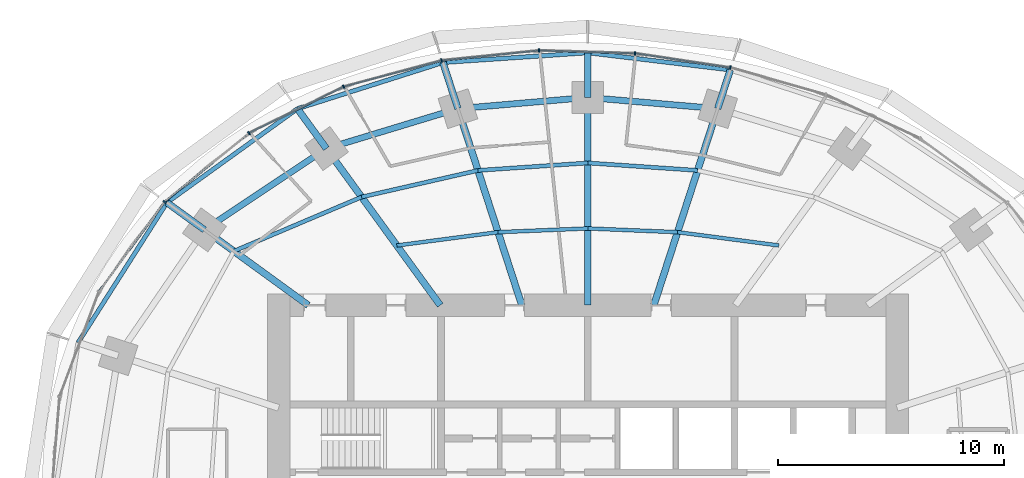
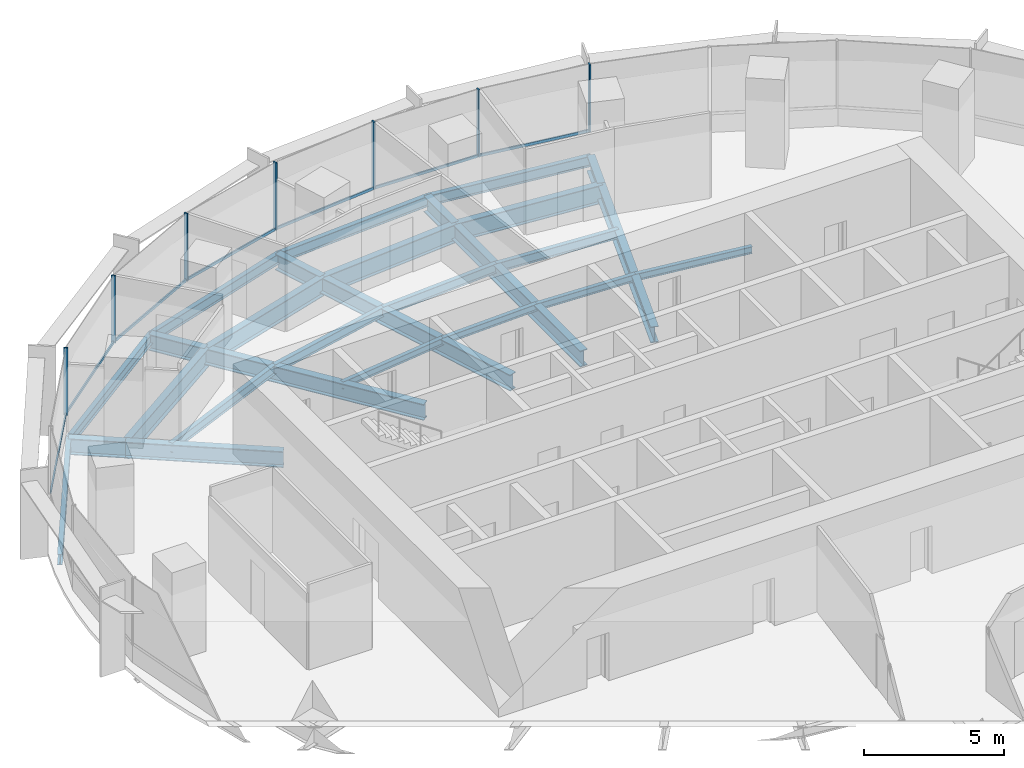
# One storey, part 7 of 15: 27 beams, 14 members, 2 elements without a shape of their own.
"""IFC4 building model written with IfcOpenShell, lengths in metres."""

from ifc_helpers import new_model, si_unit, direction, frame, origin, origin_2d, place, context, subcontext, project, spatial, rectangle, i_section, extrude, material, material_profile, profile_set, type_object, element, aggregate, save


model = new_model("IFC4")

# Units and contexts
model_context = context("Model", 3, precision=1e-05, world=origin(), true_north=direction((0.0, 1.0)))
body_context = subcontext(model_context, "Body", "Model", "MODEL_VIEW")
ifc_project = project(units=[si_unit("LENGTHUNIT", "METRE"), si_unit("AREAUNIT", "SQUARE_METRE"), si_unit("VOLUMEUNIT", "CUBIC_METRE"), si_unit("PLANEANGLEUNIT", "RADIAN"), si_unit("MASSUNIT", "GRAM", prefix="KILO")], contexts=[model_context])

# Site, building, storey
site_placement = place(None, origin())
site = spatial("IfcSite", under=ifc_project, at=site_placement, CompositionType="ELEMENT")
building_placement = place(site_placement, origin())
building = spatial("IfcBuilding", under=site, at=building_placement, Name="Marramba Exchange Tower", CompositionType="ELEMENT")
storey_placement = place(building_placement, frame((0.0, 0.0, 191.60009765625)))
storey = spatial("IfcBuildingStorey", under=building, at=storey_placement, Name="L46", CompositionType="ELEMENT", Elevation=191.60009765625)

# Beams
ifc_material_1 = material(Name="Steel AS/NZS 3679.2 grade 300", Category="steel")
ifc_material_profile_1 = material_profile(ifc_material_1, i_section(OverallWidth=0.300048828125, OverallDepth=0.699951171875, WebThickness=0.010009765625, FlangeThickness=0.031982421875, at=origin_2d()), Name="700WB173")
ifc_profile_set_1 = profile_set([ifc_material_profile_1], Name="Steel AS/NZS 3679.2 grade 300")
beam_type_1 = type_object("IfcBeamType", Name="Cantilever girder 700WB173", PredefinedType="BEAM", material=ifc_profile_set_1)
beam_1_placement = place(storey_placement, frame((5.75390625, 17.70849609375, -0.510009765625), z_axis=(0.308960771946, 0.951074782232, 0.0), x_axis=(-0.951074782232, 0.308960771946, 0.0)))
element("IfcBeam", 1, at=beam_1_placement, inside=storey, type_object=beam_type_1, Name="Cantilever girder L46 TC05", PredefinedType="BEAM", context=body_context, shape_type="SweptSolid", body=[
    extrude(i_section(OverallWidth=0.300048828125, OverallDepth=0.699951171875, WebThickness=0.010009765625, FlangeThickness=0.031982421875, at=origin_2d()), origin(), (0.0, 0.0, 1.0), 1.806396484375),
])
beam_2_placement = place(storey_placement, frame((0.0, 18.2041015625, -0.510009765625), z_axis=(0.0, 1.0, 0.0), x_axis=(-1.0, 0.0, 0.0)))
element("IfcBeam", 2, at=beam_2_placement, inside=storey, type_object=beam_type_1, Name="Cantilever girder L46 TC06", PredefinedType="BEAM", context=body_context, shape_type="SweptSolid", body=[
    extrude(i_section(OverallWidth=0.300048828125, OverallDepth=0.699951171875, WebThickness=0.010009765625, FlangeThickness=0.031982421875, at=origin_2d()), origin(), (0.0, 0.0, 1.0), 1.982177734375),
])
beam_3_placement = place(storey_placement, frame((-5.75390625, 17.70849609375, -0.510009765625), z_axis=(-0.308998798068, 0.951062428441, 0.0), x_axis=(-0.951062428441, -0.308998798068, 0.0)))
element("IfcBeam", 3, at=beam_3_placement, inside=storey, type_object=beam_type_1, Name="Cantilever girder L46 TC07", PredefinedType="BEAM", context=body_context, shape_type="SweptSolid", body=[
    extrude(i_section(OverallWidth=0.300048828125, OverallDepth=0.699951171875, WebThickness=0.010009765625, FlangeThickness=0.031982421875, at=origin_2d()), origin(), (0.0, 0.0, 1.0), 2.150634765625),
])
beam_4_placement = place(storey_placement, frame((-11.581298828125, 15.9404296875, -0.510009765625), z_axis=(-0.587832433352, 0.808982713226, 0.0), x_axis=(-0.808982713226, -0.587832433352, 0.0)))
element("IfcBeam", 4, at=beam_4_placement, inside=storey, type_object=beam_type_1, Name="Cantilever girder L46 TC08", PredefinedType="BEAM", context=body_context, shape_type="SweptSolid", body=[
    extrude(i_section(OverallWidth=0.300048828125, OverallDepth=0.699951171875, WebThickness=0.010009765625, FlangeThickness=0.031982421875, at=origin_2d()), origin(), (0.0, 0.0, 1.0), 2.1826171875),
])
beam_5_placement = place(storey_placement, frame((-16.98583984375, 12.3408203125, -0.510009765625), z_axis=(-0.808962446125, 0.587860324192, 0.0), x_axis=(-0.587860324192, -0.808962446125, 0.0)))
element("IfcBeam", 5, at=beam_5_placement, inside=storey, type_object=beam_type_1, Name="Cantilever girder L46 TC09", PredefinedType="BEAM", context=body_context, shape_type="SweptSolid", body=[
    extrude(i_section(OverallWidth=0.300048828125, OverallDepth=0.699951171875, WebThickness=0.010009765625, FlangeThickness=0.031982421875, at=origin_2d()), origin(), (0.0, 0.0, 1.0), 2.051513671875),
])
ifc_material_2 = material(Name="Steel AS/NZS 3679.1 grade 300", Category="steel")
ifc_material_profile_2 = material_profile(ifc_material_2, i_section(OverallWidth=0.166015625, OverallDepth=0.306884765625, WebThickness=0.006591796875, FlangeThickness=0.01171875, FilletRadius=0.011474609375, at=origin_2d()), Name="310UB46.2")
ifc_profile_set_2 = profile_set([ifc_material_profile_2], Name="Steel AS/NZS 3679.1 grade 300")
beam_type_2 = type_object("IfcBeamType", Name="Floor joist 310UB46.2", PredefinedType="JOIST", material=ifc_profile_set_2)
beam_6_placement = place(storey_placement, frame((8.4619140625, 11.646728515625, -0.3134765625), z_axis=(-0.991480538255, 0.130254912618, 0.0), x_axis=(-0.130254912618, -0.991480538255, 0.0)))
element("IfcBeam", 6, at=beam_6_placement, inside=storey, type_object=beam_type_2, Name="Joist L46 bay 04 row 1", PredefinedType="JOIST", context=body_context, shape_type="SweptSolid", body=[
    extrude(i_section(OverallWidth=0.166015625, OverallDepth=0.306884765625, WebThickness=0.006591796875, FlangeThickness=0.01171875, FilletRadius=0.011474609375, at=origin_2d()), origin(), (0.0, 0.0, 1.0), 4.524658203125),
])
for number, where, z_axis, x_axis, name in (
    (7, (3.975830078125, 12.236083984375, -0.3134765625), (-0.999137002892, 0.041536122257, 0.0), (-0.041536122257, -0.999137002892, 0.0), "Joist L46 bay 05 row 1"),
    (8, (0.0, 12.4013671875, -0.3134765625), (-0.999137002892, -0.041536122257, 0.0), (0.041536122257, -0.999137002892, 0.0), "Joist L46 bay 06 row 1"),
):
    element("IfcBeam", number, at=place(storey_placement, frame(where, z_axis=z_axis, x_axis=x_axis)), inside=storey, type_object=beam_type_2, Name=name, PredefinedType="JOIST", context=body_context, shape_type="SweptSolid", body=[
        extrude(i_section(OverallWidth=0.166015625, OverallDepth=0.306884765625, WebThickness=0.006591796875, FlangeThickness=0.01171875, FilletRadius=0.011474609375, at=origin_2d()), origin(), (0.0, 0.0, 1.0), 3.979248046875),
    ])
beam_7_placement = place(storey_placement, frame((-3.975830078125, 12.236083984375, -0.3134765625), z_axis=(-0.991480538255, -0.130254912618, 0.0), x_axis=(0.130254912618, -0.991480538255, 0.0)))
element("IfcBeam", 9, at=beam_7_placement, inside=storey, type_object=beam_type_2, Name="Joist L46 bay 07 row 1", PredefinedType="JOIST", context=body_context, shape_type="SweptSolid", body=[
    extrude(i_section(OverallWidth=0.166015625, OverallDepth=0.306884765625, WebThickness=0.006591796875, FlangeThickness=0.01171875, FilletRadius=0.011474609375, at=origin_2d()), origin(), (0.0, 0.0, 1.0), 4.524658203125),
])
ifc_material_profile_3 = material_profile(ifc_material_2, i_section(OverallWidth=0.177978515625, OverallDepth=0.406005859375, WebThickness=0.0078125, FlangeThickness=0.0126953125, FilletRadius=0.011474609375, at=origin_2d()), Name="410UB59.7")
ifc_profile_set_3 = profile_set([ifc_material_profile_3], Name="Steel AS/NZS 3679.1 grade 300")
beam_type_3 = type_object("IfcBeamType", Name="Floor joist 410UB59.7", PredefinedType="JOIST", material=ifc_profile_set_3)
for number, where, z_axis, x_axis, name in (
    (10, (4.86474609375, 14.972412109375, -0.363037109375), (-0.997702652202, 0.067745241816, 0.0), (-0.067745241816, -0.997702652202, 0.0), "Joist L46 bay 05 row 2"),
    (11, (0.0, 15.302734375, -0.363037109375), (-0.997702652202, -0.067745241816, 0.0), (0.067745241816, -0.997702652202, 0.0), "Joist L46 bay 06 row 2"),
):
    element("IfcBeam", number, at=place(storey_placement, frame(where, z_axis=z_axis, x_axis=x_axis)), inside=storey, type_object=beam_type_3, Name=name, PredefinedType="JOIST", context=body_context, shape_type="SweptSolid", body=[
        extrude(i_section(OverallWidth=0.177978515625, OverallDepth=0.406005859375, WebThickness=0.0078125, FlangeThickness=0.0126953125, FilletRadius=0.011474609375, at=origin_2d()), origin(), (0.0, 0.0, 1.0), 4.8759765625),
    ])
beam_8_placement = place(storey_placement, frame((-4.86474609375, 14.972412109375, -0.363037109375), z_axis=(-0.974859652292, -0.222819788916, 0.0), x_axis=(0.222819788916, -0.974859652292, 0.0)))
element("IfcBeam", 12, at=beam_8_placement, inside=storey, type_object=beam_type_3, Name="Joist L46 bay 07 row 2", PredefinedType="JOIST", context=body_context, shape_type="SweptSolid", body=[
    extrude(i_section(OverallWidth=0.177978515625, OverallDepth=0.406005859375, WebThickness=0.0078125, FlangeThickness=0.0126953125, FilletRadius=0.011474609375, at=origin_2d()), origin(), (0.0, 0.0, 1.0), 5.2900390625),
])
beam_9_placement = place(storey_placement, frame((-10.021728515625, 13.793701171875, -0.363037109375), z_axis=(-0.920674336375, -0.390331610738, 0.0), x_axis=(0.390331610738, -0.920674336375, 0.0)))
element("IfcBeam", 13, at=beam_9_placement, inside=storey, type_object=beam_type_3, Name="Joist L46 bay 08 row 2", PredefinedType="JOIST", context=body_context, shape_type="SweptSolid", body=[
    extrude(i_section(OverallWidth=0.177978515625, OverallDepth=0.406005859375, WebThickness=0.0078125, FlangeThickness=0.0126953125, FilletRadius=0.011474609375, at=origin_2d()), origin(), (0.0, 0.0, 1.0), 6.1484375),
])

# Curtain wall, members
ifc_material_3 = material(Name="Aluminium framing, bronze anodised", Category="aluminium")
curtain_wall_type = type_object("IfcCurtainWallType", Name="Office ribbon curtain wall", PredefinedType="USERDEFINED", material=ifc_material_3)
curtain_wall_1_placement = place(storey_placement, origin())
curtain_wall_1 = element("IfcCurtainWall", 14, at=curtain_wall_1_placement, inside=storey, type_object=curtain_wall_type, Name="Curtain wall CW4 L46 F06-F10", ObjectType="RIBBON CURTAIN WALL", PredefinedType="USERDEFINED")
ifc_material_4 = material(Name="Aluminium mullion, bronze anodised", Category="aluminium")
ifc_material_profile_4 = material_profile(ifc_material_4, rectangle(XDim=0.159912109375, YDim=0.06005859375, at=origin_2d()), Name="CW4 mullion 60x160")
ifc_profile_set_4 = profile_set([ifc_material_profile_4], Name="Aluminium mullion, bronze anodised")
member_type_1 = type_object("IfcMemberType", Name="Office ribbon curtain wall mullion", PredefinedType="MULLION", material=ifc_profile_set_4)
member_1_placement = place(storey_placement, frame((6.313232421875, 19.526123046875, 0.7998046875), z_axis=(0.0, 0.0, 1.0), x_axis=(-0.148794988635, -0.988868065698, 0.0)))
member_1 = element("IfcMember", 15, at=member_1_placement, type_object=member_type_1, Name="CW4 mullion 1", PredefinedType="MULLION", context=body_context, shape_type="SweptSolid", body=[
    extrude(rectangle(XDim=0.159912109375, YDim=0.06005859375, at=origin_2d()), origin(), (0.0, 0.0, 1.0), 2.940185546875),
])
member_2_placement = place(storey_placement, frame((2.088623046875, 20.158203125, 0.7998046875), z_axis=(0.0, 0.0, 1.0), x_axis=(-0.03039385249, -0.999538000143, 0.0)))
member_2 = element("IfcMember", 16, at=member_2_placement, type_object=member_type_1, Name="CW4 mullion 1", PredefinedType="MULLION", context=body_context, shape_type="SweptSolid", body=[
    extrude(rectangle(XDim=0.159912109375, YDim=0.06005859375, at=origin_2d()), origin(), (0.0, 0.0, 1.0), 2.940185546875),
])
member_3_placement = place(storey_placement, frame((-2.162109375, 20.28369140625, 0.7998046875), z_axis=(0.0, 0.0, 1.0), x_axis=(0.100862673507, -0.994900357369, 0.0)))
member_3 = element("IfcMember", 17, at=member_3_placement, type_object=member_type_1, Name="CW4 mullion 1", PredefinedType="MULLION", context=body_context, shape_type="SweptSolid", body=[
    extrude(rectangle(XDim=0.159912109375, YDim=0.06005859375, at=origin_2d()), origin(), (0.0, 0.0, 1.0), 2.940185546875),
])
member_4_placement = place(storey_placement, frame((-6.478271484375, 19.84130859375, 0.7998046875), z_axis=(0.0, 0.0, 1.0), x_axis=(0.257641223778, -0.966240653155, 0.0)))
member_4 = element("IfcMember", 18, at=member_4_placement, type_object=member_type_1, Name="CW4 mullion 1", PredefinedType="MULLION", context=body_context, shape_type="SweptSolid", body=[
    extrude(rectangle(XDim=0.159912109375, YDim=0.06005859375, at=origin_2d()), origin(), (0.0, 0.0, 1.0), 2.940185546875),
])

curtain_wall_2_placement = place(storey_placement, origin())
curtain_wall_2 = element("IfcCurtainWall", 19, at=curtain_wall_2_placement, inside=storey, type_object=curtain_wall_type, Name="Curtain wall CW4 L46 F11-F15", ObjectType="RIBBON CURTAIN WALL", PredefinedType="USERDEFINED")
member_5_placement = place(storey_placement, frame((-10.818359375, 18.677978515625, 0.7998046875), z_axis=(0.0, 0.0, 1.0), x_axis=(0.438972456661, -0.898500518805, 0.0)))
member_5 = element("IfcMember", 20, at=member_5_placement, type_object=member_type_1, Name="CW4 mullion 1", PredefinedType="MULLION", context=body_context, shape_type="SweptSolid", body=[
    extrude(rectangle(XDim=0.159912109375, YDim=0.06005859375, at=origin_2d()), origin(), (0.0, 0.0, 1.0), 2.940185546875),
])
member_6_placement = place(storey_placement, frame((-15.008056640625, 16.62353515625, 0.7998046875), z_axis=(0.0, 0.0, 1.0), x_axis=(0.630200830464, -0.776432169145, 0.0)))
member_6 = element("IfcMember", 21, at=member_6_placement, type_object=member_type_1, Name="CW4 mullion 1", PredefinedType="MULLION", context=body_context, shape_type="SweptSolid", body=[
    extrude(rectangle(XDim=0.159912109375, YDim=0.06005859375, at=origin_2d()), origin(), (0.0, 0.0, 1.0), 2.940185546875),
])
member_7_placement = place(storey_placement, frame((-18.744140625, 13.581298828125, 0.7998046875), z_axis=(0.0, 0.0, 1.0), x_axis=(0.805965197024, -0.591962922138, 0.0)))
member_7 = element("IfcMember", 22, at=member_7_placement, type_object=member_type_1, Name="CW4 mullion 1", PredefinedType="MULLION", context=body_context, shape_type="SweptSolid", body=[
    extrude(rectangle(XDim=0.159912109375, YDim=0.06005859375, at=origin_2d()), origin(), (0.0, 0.0, 1.0), 2.940185546875),
])

# Member
ifc_material_5 = material(Name="Aluminium transom, bronze anodised", Category="aluminium")
ifc_material_profile_5 = material_profile(ifc_material_5, rectangle(XDim=0.06005859375, YDim=0.1201171875, at=origin_2d()), Name="CW4 transom 60x120")
ifc_profile_set_5 = profile_set([ifc_material_profile_5], Name="Aluminium transom, bronze anodised")
member_type_2 = type_object("IfcMemberType", Name="Office ribbon curtain wall transom", PredefinedType="USERDEFINED", material=ifc_profile_set_5)
member_8_placement = place(storey_placement, frame((6.28369140625, 19.53076171875, 0.829833984375), z_axis=(-0.988868222508, 0.148793946493, 0.0), x_axis=(-0.148793946493, -0.988868222508, 0.0)))
member_8 = element("IfcMember", 23, at=member_8_placement, type_object=member_type_2, Name="CW4 sill transom", ObjectType="TRANSOM", PredefinedType="USERDEFINED", context=body_context, shape_type="SweptSolid", body=[
    extrude(rectangle(XDim=0.06005859375, YDim=0.1201171875, at=origin_2d()), origin(), (0.0, 0.0, 1.0), 4.2119140625),
])

member_9_placement = place(storey_placement, frame((2.05859375, 20.1591796875, 0.829833984375), z_axis=(-0.99953796835, 0.030394898024, 0.0), x_axis=(-0.030394898024, -0.99953796835, 0.0)))
member_9 = element("IfcMember", 24, at=member_9_placement, type_object=member_type_2, Name="CW4 sill transom", ObjectType="TRANSOM", PredefinedType="USERDEFINED", context=body_context, shape_type="SweptSolid", body=[
    extrude(rectangle(XDim=0.06005859375, YDim=0.1201171875, at=origin_2d()), origin(), (0.0, 0.0, 1.0), 4.19287109375),
])

member_10_placement = place(storey_placement, frame((-2.19189453125, 20.280517578125, 0.829833984375), z_axis=(-0.99489954864, -0.100870650418, 0.0), x_axis=(0.100870650418, -0.99489954864, 0.0)))
member_10 = element("IfcMember", 25, at=member_10_placement, type_object=member_type_2, Name="CW4 sill transom", ObjectType="TRANSOM", PredefinedType="USERDEFINED", context=body_context, shape_type="SweptSolid", body=[
    extrude(rectangle(XDim=0.06005859375, YDim=0.1201171875, at=origin_2d()), origin(), (0.0, 0.0, 1.0), 4.279052734375),
])

member_11_placement = place(storey_placement, frame((-6.50732421875, 19.83349609375, 0.829833984375), z_axis=(-0.966237681407, -0.25765236857, 0.0), x_axis=(0.25765236857, -0.966237681407, 0.0)))
member_11 = element("IfcMember", 26, at=member_11_placement, type_object=member_type_2, Name="CW4 sill transom", ObjectType="TRANSOM", PredefinedType="USERDEFINED", context=body_context, shape_type="SweptSolid", body=[
    extrude(rectangle(XDim=0.06005859375, YDim=0.1201171875, at=origin_2d()), origin(), (0.0, 0.0, 1.0), 4.43359375),
])

aggregate(curtain_wall_1, [member_1, member_8, member_2, member_9, member_3, member_10, member_4, member_11])

member_12_placement = place(storey_placement, frame((-10.84521484375, 18.664794921875, 0.829833984375), z_axis=(-0.898501418486, -0.438970615165, 0.0), x_axis=(0.438970615165, -0.898501418486, 0.0)))
member_12 = element("IfcMember", 27, at=member_12_placement, type_object=member_type_2, Name="CW4 sill transom", ObjectType="TRANSOM", PredefinedType="USERDEFINED", context=body_context, shape_type="SweptSolid", body=[
    extrude(rectangle(XDim=0.06005859375, YDim=0.1201171875, at=origin_2d()), origin(), (0.0, 0.0, 1.0), 4.607177734375),
])

member_13_placement = place(storey_placement, frame((-15.031494140625, 16.6044921875, 0.829833984375), z_axis=(-0.776424623019, -0.630210127473, 0.0), x_axis=(0.630210127473, -0.776424623019, 0.0)))
member_13 = element("IfcMember", 28, at=member_13_placement, type_object=member_type_2, Name="CW4 sill transom", ObjectType="TRANSOM", PredefinedType="USERDEFINED", context=body_context, shape_type="SweptSolid", body=[
    extrude(rectangle(XDim=0.06005859375, YDim=0.1201171875, at=origin_2d()), origin(), (0.0, 0.0, 1.0), 4.7587890625),
])

member_14_placement = place(storey_placement, frame((-18.761962890625, 13.55712890625, 0.829833984375), z_axis=(-0.591957380483, -0.805969267213, 0.0), x_axis=(0.805969267213, -0.591957380483, 0.0)))
member_14 = element("IfcMember", 29, at=member_14_placement, type_object=member_type_2, Name="CW4 sill transom", ObjectType="TRANSOM", PredefinedType="USERDEFINED", context=body_context, shape_type="SweptSolid", body=[
    extrude(rectangle(XDim=0.06005859375, YDim=0.1201171875, at=origin_2d()), origin(), (0.0, 0.0, 1.0), 4.865478515625),
])

aggregate(curtain_wall_2, [member_5, member_12, member_6, member_13, member_7, member_14])

# Beams
ifc_material_profile_6 = material_profile(ifc_material_1, i_section(OverallWidth=0.300048828125, OverallDepth=0.699951171875, WebThickness=0.010009765625, FlangeThickness=0.031982421875, at=origin_2d()), Name="700WB173")
ifc_profile_set_6 = profile_set([ifc_material_profile_6], Name="Steel AS/NZS 3679.2 grade 300")
beam_type_4 = type_object("IfcBeamType", Name="Radial girder 700WB173", PredefinedType="BEAM", material=ifc_profile_set_6)
beam_10_placement = place(storey_placement, frame((2.92431640625, 9.0, -0.510009765625), z_axis=(0.309019754162, 0.951055619582, 0.0), x_axis=(-0.951055619582, 0.309019754162, 0.0)))
element("IfcBeam", 30, at=beam_10_placement, inside=storey, type_object=beam_type_4, Name="Radial girder L46 TC05", PredefinedType="BEAM", context=body_context, shape_type="SweptSolid", body=[
    extrude(i_section(OverallWidth=0.300048828125, OverallDepth=0.699951171875, WebThickness=0.010009765625, FlangeThickness=0.031982421875, at=origin_2d()), origin(), (0.0, 0.0, 1.0), 9.15673828125),
])
beam_11_placement = place(storey_placement, frame((0.0, 9.0, -0.510009765625), z_axis=(0.0, 1.0, 0.0), x_axis=(-1.0, 0.0, 0.0)))
element("IfcBeam", 31, at=beam_11_placement, inside=storey, type_object=beam_type_4, Name="Radial girder L46 TC06", PredefinedType="BEAM", context=body_context, shape_type="SweptSolid", body=[
    extrude(i_section(OverallWidth=0.300048828125, OverallDepth=0.699951171875, WebThickness=0.010009765625, FlangeThickness=0.031982421875, at=origin_2d()), origin(), (0.0, 0.0, 1.0), 9.2041015625),
])
beam_12_placement = place(storey_placement, frame((-2.92431640625, 9.0, -0.510009765625), z_axis=(-0.309019754162, 0.951055619582, 0.0), x_axis=(-0.951055619582, -0.309019754162, 0.0)))
element("IfcBeam", 32, at=beam_12_placement, inside=storey, type_object=beam_type_4, Name="Radial girder L46 TC07", PredefinedType="BEAM", context=body_context, shape_type="SweptSolid", body=[
    extrude(i_section(OverallWidth=0.300048828125, OverallDepth=0.699951171875, WebThickness=0.010009765625, FlangeThickness=0.031982421875, at=origin_2d()), origin(), (0.0, 0.0, 1.0), 9.15673828125),
])
beam_13_placement = place(storey_placement, frame((-6.538818359375, 9.0, -0.510009765625), z_axis=(-0.587782439969, 0.80901903764, 0.0), x_axis=(-0.80901903764, -0.587782439969, 0.0)))
element("IfcBeam", 33, at=beam_13_placement, inside=storey, type_object=beam_type_4, Name="Radial girder L46 TC08", PredefinedType="BEAM", context=body_context, shape_type="SweptSolid", body=[
    extrude(i_section(OverallWidth=0.300048828125, OverallDepth=0.699951171875, WebThickness=0.010009765625, FlangeThickness=0.031982421875, at=origin_2d()), origin(), (0.0, 0.0, 1.0), 8.578857421875),
])
beam_14_placement = place(storey_placement, frame((-12.387451171875, 9.0, -0.510009765625), z_axis=(-0.809025746925, 0.587773205252, 0.0), x_axis=(-0.587773205252, -0.809025746925, 0.0)))
element("IfcBeam", 34, at=beam_14_placement, inside=storey, type_object=beam_type_4, Name="Radial girder L46 TC09", PredefinedType="BEAM", context=body_context, shape_type="SweptSolid", body=[
    extrude(i_section(OverallWidth=0.300048828125, OverallDepth=0.699951171875, WebThickness=0.010009765625, FlangeThickness=0.031982421875, at=origin_2d()), origin(), (0.0, 0.0, 1.0), 5.683837890625),
])
ifc_material_profile_7 = material_profile(ifc_material_1, i_section(OverallWidth=0.27490234375, OverallDepth=0.800048828125, WebThickness=0.010009765625, FlangeThickness=0.02490234375, at=origin_2d()), Name="800WB168")
ifc_profile_set_7 = profile_set([ifc_material_profile_7], Name="Steel AS/NZS 3679.2 grade 300")
beam_type_5 = type_object("IfcBeamType", Name="Ring beam 800WB168", PredefinedType="SPANDREL", material=ifc_profile_set_7)
for number, where, z_axis, x_axis, name in (
    (35, (5.75390625, 17.70849609375, -0.56005859375), (-0.996311003275, 0.085815993578, 0.0), (-0.085815993578, -0.996311003275, 0.0), "Ring beam L46 TC05-TC06"),
    (36, (0.0, 18.2041015625, -0.56005859375), (-0.996311003275, -0.085815993578, 0.0), (0.085815993578, -0.996311003275, 0.0), "Ring beam L46 TC06-TC07"),
):
    element("IfcBeam", number, at=place(storey_placement, frame(where, z_axis=z_axis, x_axis=x_axis)), inside=storey, type_object=beam_type_5, Name=name, PredefinedType="SPANDREL", context=body_context, shape_type="SweptSolid", body=[
        extrude(i_section(OverallWidth=0.27490234375, OverallDepth=0.800048828125, WebThickness=0.010009765625, FlangeThickness=0.02490234375, at=origin_2d()), origin(), (0.0, 0.0, 1.0), 5.775146484375),
    ])
beam_15_placement = place(storey_placement, frame((-5.75390625, 17.70849609375, -0.56005859375), z_axis=(-0.956924542524, -0.290336735387, 0.0), x_axis=(0.290336735387, -0.956924542524, 0.0)))
element("IfcBeam", 37, at=beam_15_placement, inside=storey, type_object=beam_type_5, Name="Ring beam L46 TC07-TC08", PredefinedType="SPANDREL", context=body_context, shape_type="SweptSolid", body=[
    extrude(i_section(OverallWidth=0.27490234375, OverallDepth=0.800048828125, WebThickness=0.010009765625, FlangeThickness=0.02490234375, at=origin_2d()), origin(), (0.0, 0.0, 1.0), 6.089599609375),
])
beam_16_placement = place(storey_placement, frame((-11.581298828125, 15.9404296875, -0.56005859375), z_axis=(-0.832293151443, -0.554335737673, 0.0), x_axis=(0.554335737673, -0.832293151443, 0.0)))
element("IfcBeam", 38, at=beam_16_placement, inside=storey, type_object=beam_type_5, Name="Ring beam L46 TC08-TC09", PredefinedType="SPANDREL", context=body_context, shape_type="SweptSolid", body=[
    extrude(i_section(OverallWidth=0.27490234375, OverallDepth=0.800048828125, WebThickness=0.010009765625, FlangeThickness=0.02490234375, at=origin_2d()), origin(), (0.0, 0.0, 1.0), 6.49365234375),
])
ifc_material_profile_8 = material_profile(ifc_material_2, i_section(OverallWidth=0.19091796875, OverallDepth=0.4599609375, WebThickness=0.010009765625, FlangeThickness=0.01611328125, FilletRadius=0.011474609375, at=origin_2d()), Name="460UB82.1")
ifc_profile_set_8 = profile_set([ifc_material_profile_8], Name="Steel AS/NZS 3679.1 grade 300")
beam_type_6 = type_object("IfcBeamType", Name="Slab edge beam 460UB82.1", PredefinedType="SPANDREL", material=ifc_profile_set_8)
beam_17_placement = place(storey_placement, frame((6.31201171875, 19.426513671875, -0.39013671875), z_axis=(-0.992833525914, 0.119505605811, 0.0), x_axis=(-0.119505605811, -0.992833525914, 0.0)))
element("IfcBeam", 39, at=beam_17_placement, inside=storey, type_object=beam_type_6, Name="Slab edge beam L46 TC05-TC06", PredefinedType="SPANDREL", context=body_context, shape_type="SweptSolid", body=[
    extrude(i_section(OverallWidth=0.19091796875, OverallDepth=0.4599609375, WebThickness=0.010009765625, FlangeThickness=0.01611328125, FilletRadius=0.011474609375, at=origin_2d()), origin(), (0.0, 0.0, 1.0), 6.357666015625),
])
beam_18_placement = place(storey_placement, frame((0.0, 20.186279296875, -0.39013671875), z_axis=(-0.997738737775, -0.06721168903, 0.0), x_axis=(0.06721168903, -0.997738737775, 0.0)))
element("IfcBeam", 40, at=beam_18_placement, inside=storey, type_object=beam_type_6, Name="Slab edge beam L46 TC06-TC07", PredefinedType="SPANDREL", context=body_context, shape_type="SweptSolid", body=[
    extrude(i_section(OverallWidth=0.19091796875, OverallDepth=0.4599609375, WebThickness=0.010009765625, FlangeThickness=0.01611328125, FilletRadius=0.011474609375, at=origin_2d()), origin(), (0.0, 0.0, 1.0), 6.43310546875),
])
beam_19_placement = place(storey_placement, frame((-6.41845703125, 19.75390625, -0.39013671875), z_axis=(-0.953057484675, -0.302789416766, 0.0), x_axis=(0.302789416766, -0.953057484675, 0.0)))
element("IfcBeam", 41, at=beam_19_placement, inside=storey, type_object=beam_type_6, Name="Slab edge beam L46 TC07-TC08", PredefinedType="SPANDREL", context=body_context, shape_type="SweptSolid", body=[
    extrude(i_section(OverallWidth=0.19091796875, OverallDepth=0.4599609375, WebThickness=0.010009765625, FlangeThickness=0.01611328125, FilletRadius=0.011474609375, at=origin_2d()), origin(), (0.0, 0.0, 1.0), 6.76318359375),
])
beam_20_placement = place(storey_placement, frame((-12.8642578125, 17.7060546875, -0.39013671875), z_axis=(-0.811755352788, -0.583997643163, 0.0), x_axis=(0.583997643163, -0.811755352788, 0.0)))
element("IfcBeam", 42, at=beam_20_placement, inside=storey, type_object=beam_type_6, Name="Slab edge beam L46 TC08-TC09", PredefinedType="SPANDREL", context=body_context, shape_type="SweptSolid", body=[
    extrude(i_section(OverallWidth=0.19091796875, OverallDepth=0.4599609375, WebThickness=0.010009765625, FlangeThickness=0.01611328125, FilletRadius=0.011474609375, at=origin_2d()), origin(), (0.0, 0.0, 1.0), 7.121826171875),
])
beam_21_placement = place(storey_placement, frame((-18.6455078125, 13.546875, -0.39013671875), z_axis=(-0.535794396634, -0.844348485245, 0.0), x_axis=(0.844348485245, -0.535794396634, 0.0)))
element("IfcBeam", 43, at=beam_21_placement, inside=storey, type_object=beam_type_6, Name="Slab edge beam L46 TC09-TC10", PredefinedType="SPANDREL", context=body_context, shape_type="SweptSolid", body=[
    extrude(i_section(OverallWidth=0.19091796875, OverallDepth=0.4599609375, WebThickness=0.010009765625, FlangeThickness=0.01611328125, FilletRadius=0.011474609375, at=origin_2d()), origin(), (0.0, 0.0, 1.0), 7.35302734375),
])

save(model, "model.ifc")
